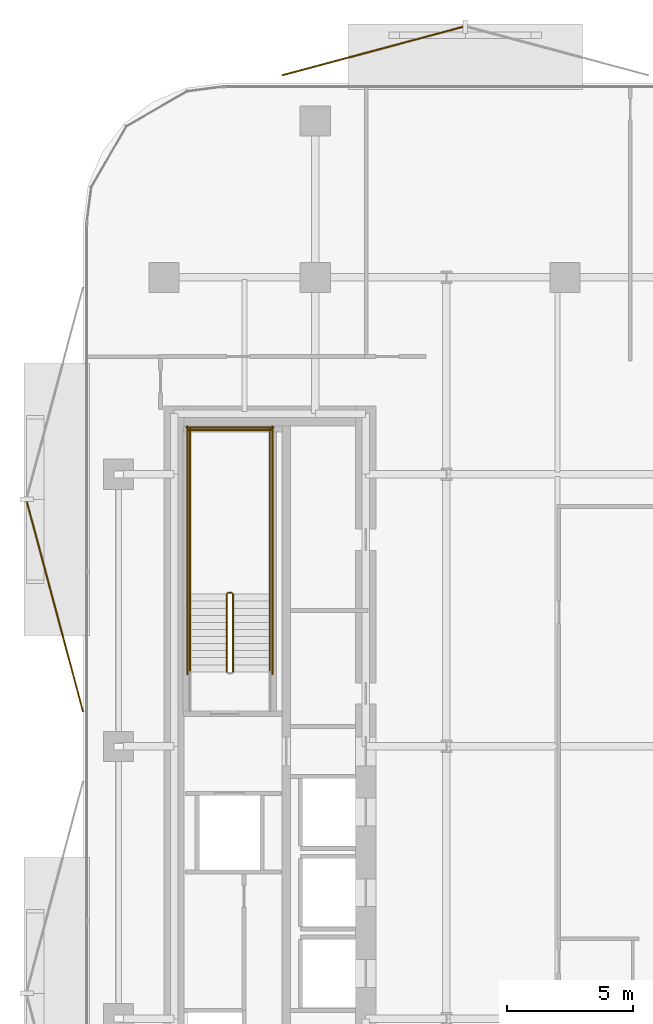
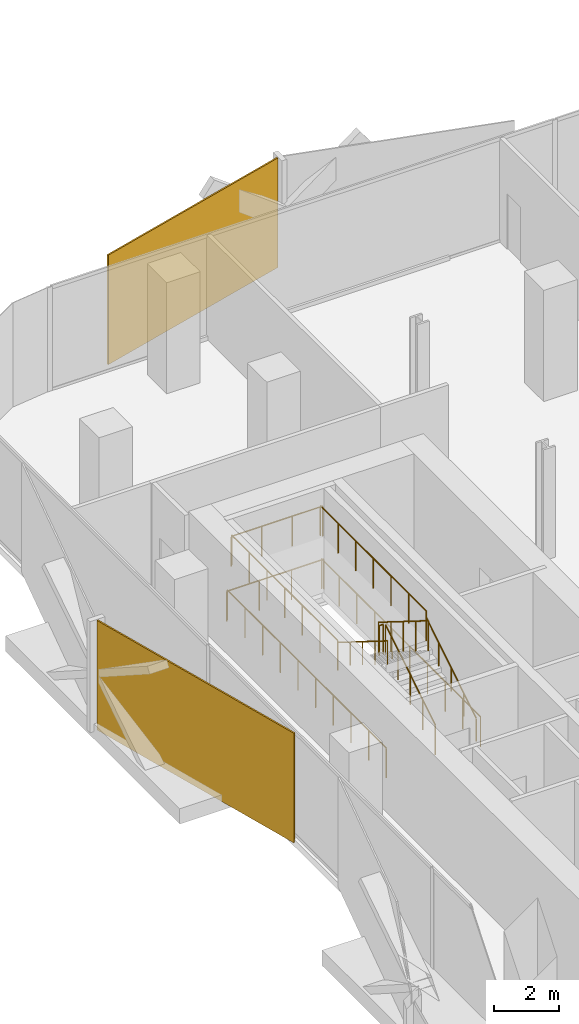
# One storey, part 14 of 15: 11 railings, 2 coverings.
"""IFC4 building model written with IfcOpenShell, lengths in metres."""

from ifc_helpers import new_model, si_unit, direction, frame, origin, origin_2d, place, context, subcontext, project, spatial, rectangle, circle, extrude, material, layer, layer_set, type_object, element, save


model = new_model("IFC4")

# Units and contexts
model_context = context("Model", 3, precision=1e-05, world=origin(), true_north=direction((0.0, 1.0)))
body_context = subcontext(model_context, "Body", "Model", "MODEL_VIEW")
ifc_project = project(units=[si_unit("LENGTHUNIT", "METRE"), si_unit("AREAUNIT", "SQUARE_METRE"), si_unit("VOLUMEUNIT", "CUBIC_METRE"), si_unit("PLANEANGLEUNIT", "RADIAN"), si_unit("MASSUNIT", "GRAM", prefix="KILO")], contexts=[model_context])

# Site, building, storey
site_placement = place(None, origin())
site = spatial("IfcSite", under=ifc_project, at=site_placement, CompositionType="ELEMENT")
building_placement = place(site_placement, origin())
building = spatial("IfcBuilding", under=site, at=building_placement, Name="Khairoan Windgate Tower", CompositionType="ELEMENT")
storey_placement = place(building_placement, frame((0.0, 0.0, 122.60009765625)))
storey = spatial("IfcBuildingStorey", under=building, at=storey_placement, Name="L28", CompositionType="ELEMENT", Elevation=122.60009765625)

# Coverings
ifc_material_1 = material(Name="Anodised Bronze Aluminium 6063-T6", Category="aluminium")
ifc_layer = layer(ifc_material_1, 0.054931640625, Name="Anodised Bronze Aluminium 6063-T6")
ifc_layer_set = layer_set([ifc_layer], Name="Anodised Bronze Aluminium 6063-T6")
covering_type = type_object("IfcCoveringType", Name="Perforated Bronze-Ceramic Folded Solar Screen Cladding BSC-1", PredefinedType="CLADDING", material=ifc_layer_set)
covering_1_placement = place(storey_placement, frame((-24.724609375, 5.542236328125, -0.10009765625), z_axis=(0.0, 0.0, 1.0), x_axis=(-0.258819045103, 0.965925826289, 0.0)))
element("IfcCovering", 1, at=covering_1_placement, inside=storey, type_object=covering_type, Name="L28 Folded Bronze Solar Screen Facet 172L", PredefinedType="CLADDING", context=body_context, shape_type="SweptSolid", body=[
    extrude(rectangle(XDim=8.6201171875, YDim=0.054931640625, at=origin_2d()), origin(), (0.0, 0.0, 1.0), 4.139892578125),
])
covering_2_placement = place(storey_placement, frame((-12.124755859375, 27.578125, -0.10009765625), z_axis=(0.0, 0.0, 1.0), x_axis=(0.965925826289, 0.258819045103, 0.0)))
element("IfcCovering", 2, at=covering_2_placement, inside=storey, type_object=covering_type, Name="L28 Folded Bronze Solar Screen Facet 173L", PredefinedType="CLADDING", context=body_context, shape_type="SweptSolid", body=[
    extrude(rectangle(XDim=7.431884765625, YDim=0.054931640625, at=origin_2d()), origin(), (0.0, 0.0, 1.0), 4.139892578125),
])

# Railings
ifc_material_2 = material(Name="Anodised Bronze Aluminium 6063-T6", Category="aluminium")
railing_type_1 = type_object("IfcRailingType", Name="Stair Wall Handrail SHR-900", PredefinedType="HANDRAIL", material=ifc_material_2)
railing_1_placement = place(storey_placement, frame((-16.199951171875, 2.9599609375, 0.1748046875)))
element("IfcRailing", 3, at=railing_1_placement, inside=storey, type_object=railing_type_1, Name="L28 ST2 stair handrail 1", PredefinedType="HANDRAIL", context=body_context, shape_type="SweptSolid", body=[
    extrude(circle(Radius=0.02392578125, at=origin_2d()), frame((0.0, 0.0, 0.8759765625), z_axis=(0.0, 0.847998304005, 0.529998940003), x_axis=(-1.0, 0.0, 0.0)), (0.0, 0.0, 1.0), 3.632080078125),
    extrude(circle(Radius=0.02099609375, at=origin_2d()), origin(), (0.0, 0.0, 1.0), 0.851806640625),
    extrude(circle(Radius=0.02099609375, at=origin_2d()), frame((0.0, 0.77001953125, 0.481201171875)), (0.0, 0.0, 1.0), 0.851806640625),
    extrude(circle(Radius=0.02099609375, at=origin_2d()), frame((0.0, 1.5400390625, 0.96240234375)), (0.0, 0.0, 1.0), 0.851806640625),
    extrude(circle(Radius=0.02099609375, at=origin_2d()), frame((0.0, 2.31005859375, 1.44384765625)), (0.0, 0.0, 1.0), 0.851806640625),
    extrude(circle(Radius=0.02099609375, at=origin_2d()), frame((0.0, 3.080078125, 1.925048828125)), (0.0, 0.0, 1.0), 0.851806640625),
])
railing_2_placement = place(storey_placement, frame((-19.3701171875, 6.0400390625, 2.27490234375)))
element("IfcRailing", 4, at=railing_2_placement, inside=storey, type_object=railing_type_1, Name="L28 ST2 stair handrail 2", PredefinedType="HANDRAIL", context=body_context, shape_type="SweptSolid", body=[
    extrude(circle(Radius=0.02392578125, at=origin_2d()), frame((0.0, 0.0, 0.8759765625), z_axis=(0.0, -0.847998304005, 0.529998940003), x_axis=(1.0, 0.0, 0.0)), (0.0, 0.0, 1.0), 3.632080078125),
    extrude(circle(Radius=0.02099609375, at=origin_2d()), origin(), (0.0, 0.0, 1.0), 0.851806640625),
    extrude(circle(Radius=0.02099609375, at=origin_2d()), frame((0.0, -0.77001953125, 0.481201171875)), (0.0, 0.0, 1.0), 0.851806640625),
    extrude(circle(Radius=0.02099609375, at=origin_2d()), frame((0.0, -1.5400390625, 0.96240234375)), (0.0, 0.0, 1.0), 0.851806640625),
    extrude(circle(Radius=0.02099609375, at=origin_2d()), frame((0.0, -2.31005859375, 1.44384765625)), (0.0, 0.0, 1.0), 0.851806640625),
    extrude(circle(Radius=0.02099609375, at=origin_2d()), frame((0.0, -3.080078125, 1.925048828125)), (0.0, 0.0, 1.0), 0.851806640625),
])
ifc_material_3 = material(Name="Steel S355", Category="steel")
railing_type_2 = type_object("IfcRailingType", Name="Stairwell Safety Guardrail SGR-1150", PredefinedType="GUARDRAIL", material=ifc_material_3)
railing_3_placement = place(storey_placement, frame((-17.659912109375, 2.9599609375, 0.1748046875)))
element("IfcRailing", 5, at=railing_3_placement, inside=storey, type_object=railing_type_2, Name="L28 ST2 stair guard 1", PredefinedType="GUARDRAIL", context=body_context, shape_type="SweptSolid", body=[
    extrude(circle(Radius=0.02392578125, at=origin_2d()), frame((0.0, 0.0, 1.1259765625), z_axis=(0.0, 0.847998304005, 0.529998940003), x_axis=(-1.0, 0.0, 0.0)), (0.0, 0.0, 1.0), 3.632080078125),
    extrude(circle(Radius=0.02099609375, at=origin_2d()), origin(), (0.0, 0.0, 1.0), 1.101806640625),
    extrude(circle(Radius=0.02099609375, at=origin_2d()), frame((0.0, 0.77001953125, 0.481201171875)), (0.0, 0.0, 1.0), 1.101806640625),
    extrude(circle(Radius=0.02099609375, at=origin_2d()), frame((0.0, 1.5400390625, 0.96240234375)), (0.0, 0.0, 1.0), 1.101806640625),
    extrude(circle(Radius=0.02099609375, at=origin_2d()), frame((0.0, 2.31005859375, 1.44384765625)), (0.0, 0.0, 1.0), 1.101806640625),
    extrude(circle(Radius=0.02099609375, at=origin_2d()), frame((0.0, 3.080078125, 1.925048828125)), (0.0, 0.0, 1.0), 1.101806640625),
])
railing_4_placement = place(storey_placement, frame((-17.7099609375, 6.090087890625, 2.099853515625)))
element("IfcRailing", 6, at=railing_4_placement, inside=storey, type_object=railing_type_2, Name="L28 ST2 stair guard 2", PredefinedType="GUARDRAIL", context=body_context, shape_type="SweptSolid", body=[
    extrude(circle(Radius=0.02392578125, at=origin_2d()), frame((0.0, 0.0, 1.1259765625), z_axis=(-1.0, 0.0, 0.0), x_axis=(0.0, -1.0, 0.0)), (0.0, 0.0, 1.0), 0.150146484375),
    extrude(circle(Radius=0.02099609375, at=origin_2d()), origin(), (0.0, 0.0, 1.0), 1.101806640625),
    extrude(circle(Radius=0.02099609375, at=origin_2d()), frame((-0.150146484375, 0.0, 0.0)), (0.0, 0.0, 1.0), 1.101806640625),
])
for number, where, name in (
    (7, (-16.199951171875, 6.0400390625, 2.099853515625), "L28 ST2 stair guard 3"),
    (8, (-19.3701171875, 6.0400390625, 2.099853515625), "L28 ST2 stair guard 4"),
):
    element("IfcRailing", number, at=place(storey_placement, frame(where)), inside=storey, type_object=railing_type_2, Name=name, PredefinedType="GUARDRAIL", context=body_context, shape_type="SweptSolid", body=[
        extrude(circle(Radius=0.02392578125, at=origin_2d()), frame((0.0, 0.0, 1.1259765625), z_axis=(0.0, 1.0, 0.0), x_axis=(-1.0, 0.0, 0.0)), (0.0, 0.0, 1.0), 6.56005859375),
        extrude(circle(Radius=0.02099609375, at=origin_2d()), origin(), (0.0, 0.0, 1.0), 1.101806640625),
        extrude(circle(Radius=0.02099609375, at=origin_2d()), frame((0.0, 1.09326171875, 0.0)), (0.0, 0.0, 1.0), 1.101806640625),
        extrude(circle(Radius=0.02099609375, at=origin_2d()), frame((0.0, 2.186767578125, 0.0)), (0.0, 0.0, 1.0), 1.101806640625),
        extrude(circle(Radius=0.02099609375, at=origin_2d()), frame((0.0, 3.280029296875, 0.0)), (0.0, 0.0, 1.0), 1.101806640625),
        extrude(circle(Radius=0.02099609375, at=origin_2d()), frame((0.0, 4.373291015625, 0.0)), (0.0, 0.0, 1.0), 1.101806640625),
        extrude(circle(Radius=0.02099609375, at=origin_2d()), frame((0.0, 5.466796875, 0.0)), (0.0, 0.0, 1.0), 1.101806640625),
        extrude(circle(Radius=0.02099609375, at=origin_2d()), frame((0.0, 6.56005859375, 0.0)), (0.0, 0.0, 1.0), 1.101806640625),
    ])
railing_5_placement = place(storey_placement, frame((-16.14990234375, 12.550048828125, 2.099853515625)))
element("IfcRailing", 9, at=railing_5_placement, inside=storey, type_object=railing_type_2, Name="L28 ST2 stair guard 5", PredefinedType="GUARDRAIL", context=body_context, shape_type="SweptSolid", body=[
    extrude(circle(Radius=0.02392578125, at=origin_2d()), frame((0.0, 0.0, 1.1259765625), z_axis=(-1.0, 0.0, 0.0), x_axis=(0.0, -1.0, 0.0)), (0.0, 0.0, 1.0), 3.27001953125),
    extrude(circle(Radius=0.02099609375, at=origin_2d()), origin(), (0.0, 0.0, 1.0), 1.101806640625),
    extrude(circle(Radius=0.02099609375, at=origin_2d()), frame((-1.090087890625, 0.0, 0.0)), (0.0, 0.0, 1.0), 1.101806640625),
    extrude(circle(Radius=0.02099609375, at=origin_2d()), frame((-2.179931640625, 0.0, 0.0)), (0.0, 0.0, 1.0), 1.101806640625),
    extrude(circle(Radius=0.02099609375, at=origin_2d()), frame((-3.27001953125, 0.0, 0.0)), (0.0, 0.0, 1.0), 1.101806640625),
])
railing_6_placement = place(storey_placement, frame((-17.909912109375, 6.0400390625, 2.27490234375)))
element("IfcRailing", 10, at=railing_6_placement, inside=storey, type_object=railing_type_2, Name="L28 ST2 stair guard 6", PredefinedType="GUARDRAIL", context=body_context, shape_type="SweptSolid", body=[
    extrude(circle(Radius=0.02392578125, at=origin_2d()), frame((0.0, 0.0, 1.1259765625), z_axis=(0.0, -0.847998304005, 0.529998940003), x_axis=(1.0, 0.0, 0.0)), (0.0, 0.0, 1.0), 3.632080078125),
    extrude(circle(Radius=0.02099609375, at=origin_2d()), origin(), (0.0, 0.0, 1.0), 1.101806640625),
    extrude(circle(Radius=0.02099609375, at=origin_2d()), frame((0.0, -0.77001953125, 0.481201171875)), (0.0, 0.0, 1.0), 1.101806640625),
    extrude(circle(Radius=0.02099609375, at=origin_2d()), frame((0.0, -1.5400390625, 0.96240234375)), (0.0, 0.0, 1.0), 1.101806640625),
    extrude(circle(Radius=0.02099609375, at=origin_2d()), frame((0.0, -2.31005859375, 1.44384765625)), (0.0, 0.0, 1.0), 1.101806640625),
    extrude(circle(Radius=0.02099609375, at=origin_2d()), frame((0.0, -3.080078125, 1.925048828125)), (0.0, 0.0, 1.0), 1.101806640625),
])
for number, where, name in (
    (11, (-16.10009765625, 2.860107421875, 0.0), "L28 ST2 stair guard 10"),
    (12, (-19.469970703125, 2.860107421875, 0.0), "L28 ST2 stair guard 11"),
):
    element("IfcRailing", number, at=place(storey_placement, frame(where)), inside=storey, type_object=railing_type_2, Name=name, PredefinedType="GUARDRAIL", context=body_context, shape_type="SweptSolid", body=[
        extrude(circle(Radius=0.02392578125, at=origin_2d()), frame((0.0, 0.0, 1.1259765625), z_axis=(0.0, 1.0, 0.0), x_axis=(-1.0, 0.0, 0.0)), (0.0, 0.0, 1.0), 9.83984375),
        extrude(circle(Radius=0.02099609375, at=origin_2d()), origin(), (0.0, 0.0, 1.0), 1.101806640625),
        extrude(circle(Radius=0.02099609375, at=origin_2d()), frame((0.0, 1.09326171875, 0.0)), (0.0, 0.0, 1.0), 1.101806640625),
        extrude(circle(Radius=0.02099609375, at=origin_2d()), frame((0.0, 2.1865234375, 0.0)), (0.0, 0.0, 1.0), 1.101806640625),
        extrude(circle(Radius=0.02099609375, at=origin_2d()), frame((0.0, 3.280029296875, 0.0)), (0.0, 0.0, 1.0), 1.101806640625),
        extrude(circle(Radius=0.02099609375, at=origin_2d()), frame((0.0, 4.373291015625, 0.0)), (0.0, 0.0, 1.0), 1.101806640625),
        extrude(circle(Radius=0.02099609375, at=origin_2d()), frame((0.0, 5.466552734375, 0.0)), (0.0, 0.0, 1.0), 1.101806640625),
        extrude(circle(Radius=0.02099609375, at=origin_2d()), frame((0.0, 6.559814453125, 0.0)), (0.0, 0.0, 1.0), 1.101806640625),
        extrude(circle(Radius=0.02099609375, at=origin_2d()), frame((0.0, 7.6533203125, 0.0)), (0.0, 0.0, 1.0), 1.101806640625),
        extrude(circle(Radius=0.02099609375, at=origin_2d()), frame((0.0, 8.74658203125, 0.0)), (0.0, 0.0, 1.0), 1.101806640625),
        extrude(circle(Radius=0.02099609375, at=origin_2d()), frame((0.0, 9.83984375, 0.0)), (0.0, 0.0, 1.0), 1.101806640625),
    ])
railing_7_placement = place(storey_placement, frame((-16.050048828125, 12.64990234375, 0.0)))
element("IfcRailing", 13, at=railing_7_placement, inside=storey, type_object=railing_type_2, Name="L28 ST2 stair guard 12", PredefinedType="GUARDRAIL", context=body_context, shape_type="SweptSolid", body=[
    extrude(circle(Radius=0.02392578125, at=origin_2d()), frame((0.0, 0.0, 1.1259765625), z_axis=(-1.0, 0.0, 0.0), x_axis=(0.0, -1.0, 0.0)), (0.0, 0.0, 1.0), 3.469970703125),
    extrude(circle(Radius=0.02099609375, at=origin_2d()), origin(), (0.0, 0.0, 1.0), 1.101806640625),
    extrude(circle(Radius=0.02099609375, at=origin_2d()), frame((-1.15673828125, 0.0, 0.0)), (0.0, 0.0, 1.0), 1.101806640625),
    extrude(circle(Radius=0.02099609375, at=origin_2d()), frame((-2.313232421875, 0.0, 0.0)), (0.0, 0.0, 1.0), 1.101806640625),
    extrude(circle(Radius=0.02099609375, at=origin_2d()), frame((-3.469970703125, 0.0, 0.0)), (0.0, 0.0, 1.0), 1.101806640625),
])

save(model, "model.ifc")
